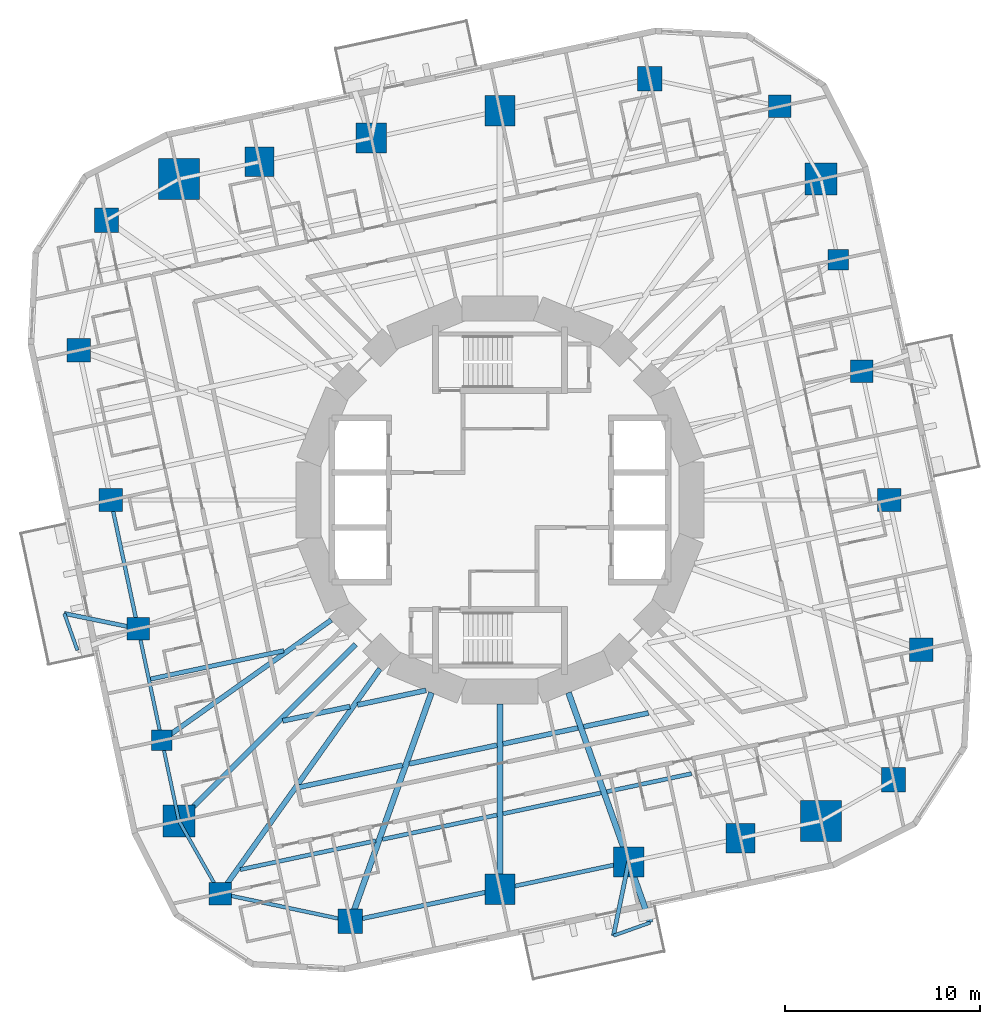
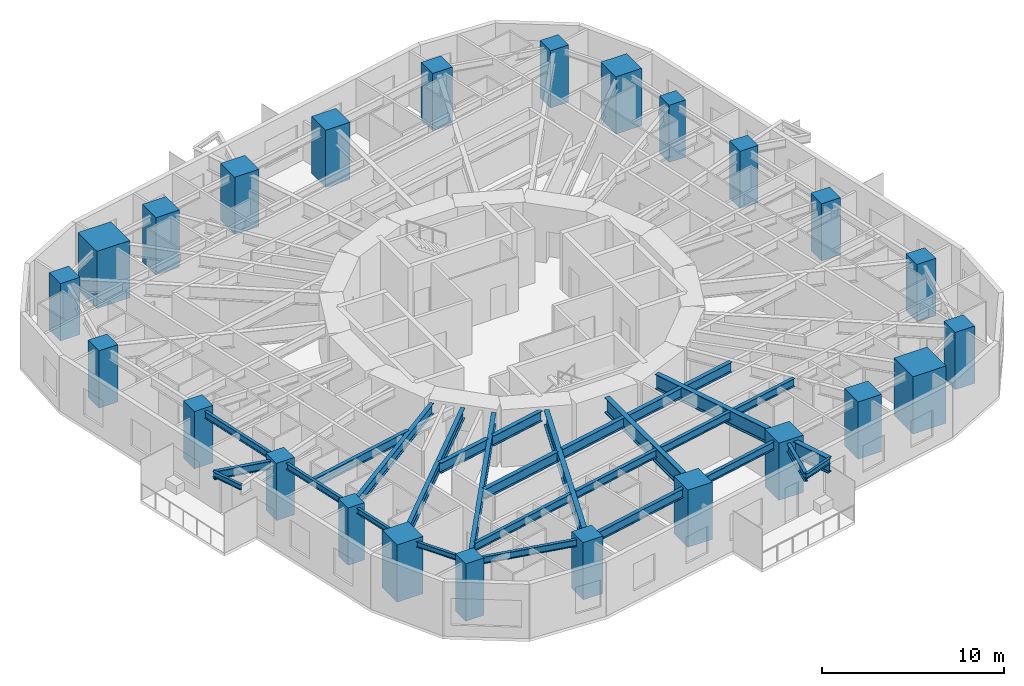
# One storey, part 1 of 14: 28 beams, 24 columns.
"""IFC4 building model written with IfcOpenShell, lengths in metres."""

from ifc_helpers import new_model, si_unit, direction, frame, origin, origin_2d, place, context, subcontext, project, spatial, rectangle, i_section, extrude, material, material_profile, profile_set, type_object, element, save


model = new_model("IFC4")

# Units and contexts
model_context = context("Model", 3, precision=1e-05, world=origin(), true_north=direction((0.0, 1.0)))
body_context = subcontext(model_context, "Body", "Model", "MODEL_VIEW")
ifc_project = project(units=[si_unit("LENGTHUNIT", "METRE"), si_unit("AREAUNIT", "SQUARE_METRE"), si_unit("VOLUMEUNIT", "CUBIC_METRE"), si_unit("PLANEANGLEUNIT", "RADIAN"), si_unit("MASSUNIT", "GRAM", prefix="KILO")], contexts=[model_context])

# Site, building, storey
site_placement = place(None, origin())
site = spatial("IfcSite", under=ifc_project, at=site_placement, CompositionType="ELEMENT")
building_placement = place(site_placement, origin())
building = spatial("IfcBuilding", under=site, at=building_placement, Name="Nakasero Lantern House", CompositionType="ELEMENT")
storey_placement = place(building_placement, frame((0.0, 0.0, 128.10009765625)))
storey = spatial("IfcBuildingStorey", under=building, at=storey_placement, Name="L31", CompositionType="ELEMENT", Elevation=128.10009765625)

# Columns
ifc_material_1 = material(Name="Concrete C50/60", Category="concrete")
ifc_material_profile_1 = material_profile(ifc_material_1, rectangle(XDim=1.64990234375, YDim=1.64990234375, at=origin_2d()), Name="RC 1650x1650")
ifc_profile_set_1 = profile_set([ifc_material_profile_1], Name="Concrete C50/60")
column_type_1 = type_object("IfcColumnType", Name="Mega column RC 1650x1650 C50/60", PredefinedType="COLUMN", material=ifc_profile_set_1)
for number, where, z_axis, x_axis, name in (
    (1, (16.44091796875, 16.44091796875, 0.0), (0.0, 0.0, 1.0), (1.0, 0.0, 0.0), "Column B3-C06 L31"),
    (2, (-16.44091796875, -16.44091796875, 0.0), (0.0, 0.0, 1.0), (1.0, 0.0, 0.0), "Column B3-C18 L31"),
):
    element("IfcColumn", number, at=place(storey_placement, frame(where, z_axis=z_axis, x_axis=x_axis)), inside=storey, type_object=column_type_1, Name=name, PredefinedType="COLUMN", context=body_context, shape_type="SweptSolid", body=[
        extrude(rectangle(XDim=1.64990234375, YDim=1.64990234375, at=origin_2d()), origin(), (0.0, 0.0, 1.0), 3.849853515625),
    ])
ifc_material_2 = material(Name="Concrete C50/60", Category="concrete")
ifc_material_profile_2 = material_profile(ifc_material_2, rectangle(XDim=2.10009765625, YDim=2.10009765625, at=origin_2d()), Name="RC 2100x2100")
ifc_profile_set_2 = profile_set([ifc_material_profile_2], Name="Concrete C50/60")
column_type_2 = type_object("IfcColumnType", Name="Mega column RC 2100x2100 C50/60", PredefinedType="COLUMN", material=ifc_profile_set_2)
for number, where, z_axis, x_axis, name in (
    (3, (-16.44091796875, 16.44091796875, 0.0), (0.0, 0.0, 1.0), (1.0, 0.0, 0.0), "Column B3-C12 L31"),
    (4, (16.44091796875, -16.44091796875, 0.0), (0.0, 0.0, 1.0), (1.0, 0.0, 0.0), "Column B3-C24 L31"),
):
    element("IfcColumn", number, at=place(storey_placement, frame(where, z_axis=z_axis, x_axis=x_axis)), inside=storey, type_object=column_type_2, Name=name, PredefinedType="COLUMN", context=body_context, shape_type="SweptSolid", body=[
        extrude(rectangle(XDim=2.10009765625, YDim=2.10009765625, at=origin_2d()), origin(), (0.0, 0.0, 1.0), 3.849853515625),
    ])
ifc_material_3 = material(Name="Concrete C50/60", Category="concrete")
ifc_material_profile_3 = material_profile(ifc_material_3, rectangle(XDim=1.050048828125, YDim=1.050048828125, at=origin_2d()), Name="RC 1050x1050")
ifc_profile_set_3 = profile_set([ifc_material_profile_3], Name="Concrete C50/60")
column_type_3 = type_object("IfcColumnType", Name="Ring column RC 1050x1050 C50/60", PredefinedType="COLUMN", material=ifc_profile_set_3)
for number, where, z_axis, x_axis, name in (
    (5, (17.318115234375, 12.31494140625, 0.0), (0.0, 0.0, 1.0), (1.0, 0.0, 0.0), "Column B3-C05 L31"),
    (6, (-17.318115234375, -12.31494140625, 0.0), (0.0, 0.0, 1.0), (1.0, 0.0, 0.0), "Column B3-C17 L31"),
):
    element("IfcColumn", number, at=place(storey_placement, frame(where, z_axis=z_axis, x_axis=x_axis)), inside=storey, type_object=column_type_3, Name=name, PredefinedType="COLUMN", context=body_context, shape_type="SweptSolid", body=[
        extrude(rectangle(XDim=1.050048828125, YDim=1.050048828125, at=origin_2d()), origin(), (0.0, 0.0, 1.0), 3.849853515625),
    ])
ifc_material_4 = material(Name="Concrete C50/60", Category="concrete")
ifc_material_profile_4 = material_profile(ifc_material_4, rectangle(XDim=1.14990234375, YDim=1.14990234375, at=origin_2d()), Name="RC 1150x1150")
ifc_profile_set_4 = profile_set([ifc_material_profile_4], Name="Concrete C50/60")
column_type_4 = type_object("IfcColumnType", Name="Ring column RC 1150x1150 C50/60", PredefinedType="COLUMN", material=ifc_profile_set_4)
for number, where, z_axis, x_axis, name in (
    (7, (18.534912109375, 6.590087890625, 0.0), (0.0, 0.0, 1.0), (1.0, 0.0, 0.0), "Column B3-C04 L31"),
    (8, (14.33349609375, 20.15625, 0.0), (0.0, 0.0, 1.0), (1.0, 0.0, 0.0), "Column B3-C07 L31"),
    (9, (-18.534912109375, -6.590087890625, 0.0), (0.0, 0.0, 1.0), (1.0, 0.0, 0.0), "Column B3-C16 L31"),
    (10, (-14.33349609375, -20.15625, 0.0), (0.0, 0.0, 1.0), (1.0, 0.0, 0.0), "Column B3-C19 L31"),
):
    element("IfcColumn", number, at=place(storey_placement, frame(where, z_axis=z_axis, x_axis=x_axis)), inside=storey, type_object=column_type_4, Name=name, PredefinedType="COLUMN", context=body_context, shape_type="SweptSolid", body=[
        extrude(rectangle(XDim=1.14990234375, YDim=1.14990234375, at=origin_2d()), origin(), (0.0, 0.0, 1.0), 3.849853515625),
    ])
ifc_material_5 = material(Name="Concrete C50/60", Category="concrete")
ifc_material_profile_5 = material_profile(ifc_material_5, rectangle(XDim=1.199951171875, YDim=1.199951171875, at=origin_2d()), Name="RC 1200x1200")
ifc_profile_set_5 = profile_set([ifc_material_profile_5], Name="Concrete C50/60")
column_type_5 = type_object("IfcColumnType", Name="Ring column RC 1200x1200 C50/60", PredefinedType="COLUMN", material=ifc_profile_set_5)
for number, where, z_axis, x_axis, name in (
    (11, (21.5654296875, -7.667724609375, 0.0), (0.0, 0.0, 1.0), (1.0, 0.0, 0.0), "Column B3-C02 L31"),
    (12, (19.935546875, 0.0, 0.0), (0.0, 0.0, 1.0), (1.0, 0.0, 0.0), "Column B3-C03 L31"),
    (13, (-21.5654296875, 7.667724609375, 0.0), (0.0, 0.0, 1.0), (1.0, 0.0, 0.0), "Column B3-C14 L31"),
    (14, (-19.935546875, 0.0, 0.0), (0.0, 0.0, 1.0), (1.0, 0.0, 0.0), "Column B3-C15 L31"),
):
    element("IfcColumn", number, at=place(storey_placement, frame(where, z_axis=z_axis, x_axis=x_axis)), inside=storey, type_object=column_type_5, Name=name, PredefinedType="COLUMN", context=body_context, shape_type="SweptSolid", body=[
        extrude(rectangle(XDim=1.199951171875, YDim=1.199951171875, at=origin_2d()), origin(), (0.0, 0.0, 1.0), 3.849853515625),
    ])
ifc_material_6 = material(Name="Concrete C50/60", Category="concrete")
ifc_material_profile_6 = material_profile(ifc_material_6, rectangle(XDim=1.25, YDim=1.25, at=origin_2d()), Name="RC 1250x1250")
ifc_profile_set_6 = profile_set([ifc_material_profile_6], Name="Concrete C50/60")
column_type_6 = type_object("IfcColumnType", Name="Ring column RC 1250x1250 C50/60", PredefinedType="COLUMN", material=ifc_profile_set_6)
for number, where, z_axis, x_axis, name in (
    (15, (20.15625, -14.33349609375, 0.0), (0.0, 0.0, 1.0), (1.0, 0.0, 0.0), "Column B3-C01 L31"),
    (16, (7.667724609375, 21.5654296875, 0.0), (0.0, 0.0, 1.0), (1.0, 0.0, 0.0), "Column B3-C08 L31"),
    (17, (-20.15625, 14.33349609375, 0.0), (0.0, 0.0, 1.0), (1.0, 0.0, 0.0), "Column B3-C13 L31"),
    (18, (-7.667724609375, -21.5654296875, 0.0), (0.0, 0.0, 1.0), (1.0, 0.0, 0.0), "Column B3-C20 L31"),
):
    element("IfcColumn", number, at=place(storey_placement, frame(where, z_axis=z_axis, x_axis=x_axis)), inside=storey, type_object=column_type_6, Name=name, PredefinedType="COLUMN", context=body_context, shape_type="SweptSolid", body=[
        extrude(rectangle(XDim=1.25, YDim=1.25, at=origin_2d()), origin(), (0.0, 0.0, 1.0), 3.849853515625),
    ])
ifc_material_7 = material(Name="Concrete C50/60", Category="concrete")
ifc_material_profile_7 = material_profile(ifc_material_7, rectangle(XDim=1.5, YDim=1.5, at=origin_2d()), Name="RC 1500x1500")
ifc_profile_set_7 = profile_set([ifc_material_profile_7], Name="Concrete C50/60")
column_type_7 = type_object("IfcColumnType", Name="Ring column RC 1500x1500 C50/60", PredefinedType="COLUMN", material=ifc_profile_set_7)
for number, where, z_axis, x_axis, name in (
    (19, (-12.31494140625, 17.318115234375, 0.0), (0.0, 0.0, 1.0), (1.0, 0.0, 0.0), "Column B3-C11 L31"),
    (20, (12.31494140625, -17.318115234375, 0.0), (0.0, 0.0, 1.0), (1.0, 0.0, 0.0), "Column B3-C23 L31"),
):
    element("IfcColumn", number, at=place(storey_placement, frame(where, z_axis=z_axis, x_axis=x_axis)), inside=storey, type_object=column_type_7, Name=name, PredefinedType="COLUMN", context=body_context, shape_type="SweptSolid", body=[
        extrude(rectangle(XDim=1.5, YDim=1.5, at=origin_2d()), origin(), (0.0, 0.0, 1.0), 3.849853515625),
    ])
ifc_material_8 = material(Name="Concrete C50/60", Category="concrete")
ifc_material_profile_8 = material_profile(ifc_material_8, rectangle(XDim=1.550048828125, YDim=1.550048828125, at=origin_2d()), Name="RC 1550x1550")
ifc_profile_set_8 = profile_set([ifc_material_profile_8], Name="Concrete C50/60")
column_type_8 = type_object("IfcColumnType", Name="Ring column RC 1550x1550 C50/60", PredefinedType="COLUMN", material=ifc_profile_set_8)
for number, where, z_axis, x_axis, name in (
    (21, (0.0, 19.935546875, 0.0), (0.0, 0.0, 1.0), (1.0, 0.0, 0.0), "Column B3-C09 L31"),
    (22, (-6.590087890625, 18.534912109375, 0.0), (0.0, 0.0, 1.0), (1.0, 0.0, 0.0), "Column B3-C10 L31"),
    (23, (0.0, -19.935546875, 0.0), (0.0, 0.0, 1.0), (1.0, 0.0, 0.0), "Column B3-C21 L31"),
    (24, (6.590087890625, -18.534912109375, 0.0), (0.0, 0.0, 1.0), (1.0, 0.0, 0.0), "Column B3-C22 L31"),
):
    element("IfcColumn", number, at=place(storey_placement, frame(where, z_axis=z_axis, x_axis=x_axis)), inside=storey, type_object=column_type_8, Name=name, PredefinedType="COLUMN", context=body_context, shape_type="SweptSolid", body=[
        extrude(rectangle(XDim=1.550048828125, YDim=1.550048828125, at=origin_2d()), origin(), (0.0, 0.0, 1.0), 3.849853515625),
    ])

# Beams
ifc_material_9 = material(Name="Steel S355", Category="steel")
ifc_material_profile_9 = material_profile(ifc_material_9, i_section(OverallWidth=0.2138671875, OverallDepth=0.549072265625, WebThickness=0.0146484375, FlangeThickness=0.023681640625, FilletRadius=0.0126953125, at=origin_2d()), Name="UB 533x210x138")
ifc_profile_set_9 = profile_set([ifc_material_profile_9], Name="Steel S355")
beam_type_1 = type_object("IfcBeamType", Name="Balcony splay beam UB 533x210x138", PredefinedType="BEAM", material=ifc_profile_set_9)
for number, where, z_axis, x_axis, name in (
    (25, (-18.534912109375, -6.590087890625, 3.375244140625), (-0.979420272605, 0.201831438605, 0.0), (-0.201831438605, -0.979420272605, 0.0), "Balcony splay beam L32 B3-C16A"),
    (26, (6.590087890625, -18.534912109375, 3.375244140625), (-0.201831438605, -0.979420272605, 0.0), (0.979420272605, -0.201831438605, 0.0), "Balcony splay beam L32 B3-C22A"),
):
    element("IfcBeam", number, at=place(storey_placement, frame(where, z_axis=z_axis, x_axis=x_axis)), inside=storey, type_object=beam_type_1, Name=name, PredefinedType="BEAM", context=body_context, shape_type="SweptSolid", body=[
        extrude(i_section(OverallWidth=0.2138671875, OverallDepth=0.549072265625, WebThickness=0.0146484375, FlangeThickness=0.023681640625, FilletRadius=0.0126953125, at=origin_2d()), origin(), (0.0, 0.0, 1.0), 3.858642578125),
    ])
ifc_material_10 = material(Name="Steel S355", Category="steel")
ifc_material_profile_10 = material_profile(ifc_material_10, i_section(OverallWidth=0.17138671875, OverallDepth=0.35498046875, WebThickness=0.00732421875, FlangeThickness=0.011474609375, FilletRadius=0.01025390625, at=origin_2d()), Name="UB 356x171x51")
ifc_profile_set_10 = profile_set([ifc_material_profile_10], Name="Steel S355")
beam_type_2 = type_object("IfcBeamType", Name="Balcony tie beam UB 356x171x51", PredefinedType="BEAM", material=ifc_profile_set_10)
for number, where, z_axis, x_axis, name in (
    (27, (-22.314208984375, -5.811279296875, 3.472412109375), (0.335060236487, -0.942196708721, 0.0), (0.942196708721, 0.335060236487, 0.0), "Balcony tie beam L32 B3-C16"),
    (28, (5.811279296875, -22.314208984375, 3.472412109375), (0.942196708721, 0.335060236487, 0.0), (-0.335060236487, 0.942196708721, 0.0), "Balcony tie beam L32 B3-C22"),
):
    element("IfcBeam", number, at=place(storey_placement, frame(where, z_axis=z_axis, x_axis=x_axis)), inside=storey, type_object=beam_type_2, Name=name, PredefinedType="BEAM", context=body_context, shape_type="SweptSolid", body=[
        extrude(i_section(OverallWidth=0.17138671875, OverallDepth=0.35498046875, WebThickness=0.00732421875, FlangeThickness=0.011474609375, FilletRadius=0.01025390625, at=origin_2d()), origin(), (0.0, 0.0, 1.0), 2.000244140625),
    ])
ifc_material_11 = material(Name="Steel S355", Category="steel")
ifc_material_profile_11 = material_profile(ifc_material_11, i_section(OverallWidth=0.2099609375, OverallDepth=0.53662109375, WebThickness=0.0107421875, FlangeThickness=0.017333984375, FilletRadius=0.0126953125, at=origin_2d()), Name="UB 533x210x101")
ifc_profile_set_11 = profile_set([ifc_material_profile_11], Name="Steel S355")
beam_type_3 = type_object("IfcBeamType", Name="Infill beam UB 533x210x101", PredefinedType="JOIST", material=ifc_profile_set_11)
beam_1_placement = place(storey_placement, frame((-13.29638671875, -18.927978515625, 3.381591796875), z_axis=(0.978149480204, 0.207902848411, 0.0), x_axis=(-0.207902848411, 0.978149480204, 0.0)))
element("IfcBeam", 29, at=beam_1_placement, inside=storey, type_object=beam_type_3, Name="Infill beam L32 03.1", PredefinedType="JOIST", context=body_context, shape_type="SweptSolid", body=[
    extrude(i_section(OverallWidth=0.2099609375, OverallDepth=0.53662109375, WebThickness=0.0107421875, FlangeThickness=0.017333984375, FilletRadius=0.0126953125, at=origin_2d()), origin(), (0.0, 0.0, 1.0), 7.085693359375),
])
beam_2_placement = place(storey_placement, frame((-6.02099609375, -17.381591796875, 3.381591796875), z_axis=(0.978149438519, 0.207903044531, 0.0), x_axis=(-0.207903044531, 0.978149438519, 0.0)))
element("IfcBeam", 30, at=beam_2_placement, inside=storey, type_object=beam_type_3, Name="Infill beam L32 03.2", PredefinedType="JOIST", context=body_context, shape_type="SweptSolid", body=[
    extrude(i_section(OverallWidth=0.2099609375, OverallDepth=0.53662109375, WebThickness=0.0107421875, FlangeThickness=0.017333984375, FilletRadius=0.0126953125, at=origin_2d()), origin(), (0.0, 0.0, 1.0), 5.99951171875),
])
beam_3_placement = place(storey_placement, frame((0.152587890625, -16.0693359375, 3.381591796875), z_axis=(0.978153894908, 0.207882076853, 0.0), x_axis=(-0.207882076853, 0.978153894908, 0.0)))
element("IfcBeam", 31, at=beam_3_placement, inside=storey, type_object=beam_type_3, Name="Infill beam L32 03.3", PredefinedType="JOIST", context=body_context, shape_type="SweptSolid", body=[
    extrude(i_section(OverallWidth=0.2099609375, OverallDepth=0.53662109375, WebThickness=0.0107421875, FlangeThickness=0.017333984375, FilletRadius=0.0126953125, at=origin_2d()), origin(), (0.0, 0.0, 1.0), 5.13330078125),
])
beam_4_placement = place(storey_placement, frame((5.471923828125, -14.938720703125, 3.381591796875), z_axis=(0.978149057111, 0.207904838982, 0.0), x_axis=(-0.207904838982, 0.978149057111, 0.0)))
element("IfcBeam", 32, at=beam_4_placement, inside=storey, type_object=beam_type_3, Name="Infill beam L32 03.4", PredefinedType="JOIST", context=body_context, shape_type="SweptSolid", body=[
    extrude(i_section(OverallWidth=0.2099609375, OverallDepth=0.53662109375, WebThickness=0.0107421875, FlangeThickness=0.017333984375, FilletRadius=0.0126953125, at=origin_2d()), origin(), (0.0, 0.0, 1.0), 4.435302734375),
])
ifc_material_12 = material(Name="Steel S355", Category="steel")
ifc_material_profile_12 = material_profile(ifc_material_12, i_section(OverallWidth=0.2275390625, OverallDepth=0.6025390625, WebThickness=0.010498046875, FlangeThickness=0.014892578125, FilletRadius=0.0126953125, at=origin_2d()), Name="UB 610x229x101")
ifc_profile_set_12 = profile_set([ifc_material_profile_12], Name="Steel S355")
beam_type_4 = type_object("IfcBeamType", Name="Infill beam UB 610x229x101", PredefinedType="JOIST", material=ifc_profile_set_12)
beam_5_placement = place(storey_placement, frame((-17.895263671875, -9.171142578125, 3.3486328125), z_axis=(0.978143535939, 0.207930813255, 0.0), x_axis=(-0.207930813255, 0.978143535939, 0.0)))
element("IfcBeam", 33, at=beam_5_placement, inside=storey, type_object=beam_type_4, Name="Infill beam L32 06.1", PredefinedType="JOIST", context=body_context, shape_type="SweptSolid", body=[
    extrude(i_section(OverallWidth=0.2275390625, OverallDepth=0.6025390625, WebThickness=0.010498046875, FlangeThickness=0.014892578125, FilletRadius=0.0126953125, at=origin_2d()), origin(), (0.0, 0.0, 1.0), 6.9697265625),
])
ifc_material_13 = material(Name="Steel S355", Category="steel")
ifc_material_profile_13 = material_profile(ifc_material_13, i_section(OverallWidth=0.253662109375, OverallDepth=0.68359375, WebThickness=0.012451171875, FlangeThickness=0.01904296875, FilletRadius=0.01513671875, at=origin_2d()), Name="UB 686x254x140")
ifc_profile_set_13 = profile_set([ifc_material_profile_13], Name="Steel S355")
beam_type_5 = type_object("IfcBeamType", Name="Infill beam UB 686x254x140", PredefinedType="JOIST", material=ifc_profile_set_13)
beam_6_placement = place(storey_placement, frame((-10.298828125, -14.712646484375, 3.30810546875), z_axis=(0.978155764637, 0.207873278962, 0.0), x_axis=(-0.207873278962, 0.978155764637, 0.0)))
element("IfcBeam", 34, at=beam_6_placement, inside=storey, type_object=beam_type_5, Name="Infill beam L32 04.1", PredefinedType="JOIST", context=body_context, shape_type="SweptSolid", body=[
    extrude(i_section(OverallWidth=0.253662109375, OverallDepth=0.68359375, WebThickness=0.012451171875, FlangeThickness=0.01904296875, FilletRadius=0.01513671875, at=origin_2d()), origin(), (0.0, 0.0, 1.0), 5.428466796875),
])
beam_7_placement = place(storey_placement, frame((-4.644775390625, -13.510986328125, 3.30810546875), z_axis=(0.978148041119, 0.207909618957, 0.0), x_axis=(-0.207909618957, 0.978148041119, 0.0)))
element("IfcBeam", 35, at=beam_7_placement, inside=storey, type_object=beam_type_5, Name="Infill beam L32 04.2", PredefinedType="JOIST", context=body_context, shape_type="SweptSolid", body=[
    extrude(i_section(OverallWidth=0.253662109375, OverallDepth=0.68359375, WebThickness=0.012451171875, FlangeThickness=0.01904296875, FilletRadius=0.01513671875, at=origin_2d()), origin(), (0.0, 0.0, 1.0), 4.592529296875),
])
beam_8_placement = place(storey_placement, frame((0.152587890625, -12.4912109375, 3.30810546875), z_axis=(0.978145250615, 0.20792274695, 0.0), x_axis=(-0.20792274695, 0.978145250615, 0.0)))
element("IfcBeam", 36, at=beam_8_placement, inside=storey, type_object=beam_type_5, Name="Infill beam L32 04.3", PredefinedType="JOIST", context=body_context, shape_type="SweptSolid", body=[
    extrude(i_section(OverallWidth=0.253662109375, OverallDepth=0.68359375, WebThickness=0.012451171875, FlangeThickness=0.01904296875, FilletRadius=0.01513671875, at=origin_2d()), origin(), (0.0, 0.0, 1.0), 3.924072265625),
])
beam_9_placement = place(storey_placement, frame((4.2890625, -11.612060546875, 3.30810546875), z_axis=(0.978143084163, 0.207932938478, 0.0), x_axis=(-0.207932938478, 0.978143084163, 0.0)))
element("IfcBeam", 37, at=beam_9_placement, inside=storey, type_object=beam_type_5, Name="Infill beam L32 04.4", PredefinedType="JOIST", context=body_context, shape_type="SweptSolid", body=[
    extrude(i_section(OverallWidth=0.253662109375, OverallDepth=0.68359375, WebThickness=0.012451171875, FlangeThickness=0.01904296875, FilletRadius=0.01513671875, at=origin_2d()), origin(), (0.0, 0.0, 1.0), 3.385009765625),
])
ifc_material_14 = material(Name="Steel S355", Category="steel")
ifc_material_profile_14 = material_profile(ifc_material_14, i_section(OverallWidth=0.255859375, OverallDepth=0.69287109375, WebThickness=0.014404296875, FlangeThickness=0.023681640625, FilletRadius=0.01513671875, at=origin_2d()), Name="UB 686x254x170")
ifc_profile_set_14 = profile_set([ifc_material_profile_14], Name="Steel S355")
beam_type_6 = type_object("IfcBeamType", Name="Infill beam UB 686x254x170", PredefinedType="JOIST", material=ifc_profile_set_14)
beam_10_placement = place(storey_placement, frame((-11.13037109375, -11.311279296875, 3.303466796875), z_axis=(0.978149156314, 0.207904372253, 0.0), x_axis=(-0.207904372253, 0.978149156314, 0.0)))
element("IfcBeam", 38, at=beam_10_placement, inside=storey, type_object=beam_type_6, Name="Infill beam L32 05.1", PredefinedType="JOIST", context=body_context, shape_type="SweptSolid", body=[
    extrude(i_section(OverallWidth=0.255859375, OverallDepth=0.69287109375, WebThickness=0.014404296875, FlangeThickness=0.023681640625, FilletRadius=0.01513671875, at=origin_2d()), origin(), (0.0, 0.0, 1.0), 3.5205078125),
])
beam_11_placement = place(storey_placement, frame((-7.30126953125, -10.497314453125, 3.303466796875), z_axis=(0.978149176892, 0.207904275439, 0.0), x_axis=(-0.207904275439, 0.978149176892, 0.0)))
element("IfcBeam", 39, at=beam_11_placement, inside=storey, type_object=beam_type_6, Name="Infill beam L32 05.2", PredefinedType="JOIST", context=body_context, shape_type="SweptSolid", body=[
    extrude(i_section(OverallWidth=0.255859375, OverallDepth=0.69287109375, WebThickness=0.014404296875, FlangeThickness=0.023681640625, FilletRadius=0.01513671875, at=origin_2d()), origin(), (0.0, 0.0, 1.0), 3.59228515625),
])
ifc_material_15 = material(Name="Steel S355", Category="steel")
ifc_material_profile_15 = material_profile(ifc_material_15, i_section(OverallWidth=0.300048828125, OverallDepth=0.989990234375, WebThickness=0.0166015625, FlangeThickness=0.031005859375, FilletRadius=0.030029296875, at=origin_2d()), Name="UB 1016x305x272")
ifc_profile_set_15 = profile_set([ifc_material_profile_15], Name="Steel S355")
beam_type_7 = type_object("IfcBeamType", Name="Primary beam UB 1016x305x272, span 12 to 15 m", PredefinedType="BEAM", material=ifc_profile_set_15)
beam_12_placement = place(storey_placement, frame((-7.667724609375, -21.5654296875, 3.15478515625), z_axis=(0.335011995103, 0.942213862739, 0.0), x_axis=(-0.942213862739, 0.335011995103, 0.0)))
element("IfcBeam", 40, at=beam_12_placement, inside=storey, type_object=beam_type_7, Name="Primary beam L32 B3-C20", PredefinedType="BEAM", context=body_context, shape_type="SweptSolid", body=[
    extrude(i_section(OverallWidth=0.300048828125, OverallDepth=0.989990234375, WebThickness=0.0166015625, FlangeThickness=0.031005859375, FilletRadius=0.030029296875, at=origin_2d()), origin(), (0.0, 0.0, 1.0), 12.41650390625),
])
ifc_material_16 = material(Name="Steel S355", Category="steel")
ifc_material_profile_16 = material_profile(ifc_material_16, i_section(OverallWidth=0.302001953125, OverallDepth=1.008056640625, WebThickness=0.02099609375, FlangeThickness=0.0400390625, FilletRadius=0.030029296875, at=origin_2d()), Name="UB 1016x305x349")
ifc_profile_set_16 = profile_set([ifc_material_profile_16], Name="Steel S355")
beam_type_8 = type_object("IfcBeamType", Name="Primary beam UB 1016x305x349, span 9 to 12 m", PredefinedType="BEAM", material=ifc_profile_set_16)
beam_13_placement = place(storey_placement, frame((7.69580078125, -21.64404296875, 3.145751953125), z_axis=(-0.335020841845, 0.942210717159, 0.0), x_axis=(-0.942210717159, -0.335020841845, 0.0)))
element("IfcBeam", 41, at=beam_13_placement, inside=storey, type_object=beam_type_8, Name="Primary beam L32 B3-C22", PredefinedType="BEAM", context=body_context, shape_type="SweptSolid", body=[
    extrude(i_section(OverallWidth=0.302001953125, OverallDepth=1.008056640625, WebThickness=0.02099609375, FlangeThickness=0.0400390625, FilletRadius=0.030029296875, at=origin_2d()), origin(), (0.0, 0.0, 1.0), 12.5),
])
ifc_material_17 = material(Name="Steel S355", Category="steel")
ifc_material_profile_17 = material_profile(ifc_material_17, i_section(OverallWidth=0.305419921875, OverallDepth=1.026123046875, WebThickness=0.02685546875, FlangeThickness=0.049072265625, FilletRadius=0.030029296875, at=origin_2d()), Name="UB 1016x305x437")
ifc_profile_set_17 = profile_set([ifc_material_profile_17], Name="Steel S355")
beam_type_9 = type_object("IfcBeamType", Name="Primary beam UB 1016x305x437, span 9 to 12 m", PredefinedType="BEAM", material=ifc_profile_set_17)
beam_14_placement = place(storey_placement, frame((0.0, -19.935546875, 3.136962890625), z_axis=(0.0, 1.0, 0.0), x_axis=(-1.0, 0.0, 0.0)))
element("IfcBeam", 42, at=beam_14_placement, inside=storey, type_object=beam_type_9, Name="Primary beam L32 B3-C21", PredefinedType="BEAM", context=body_context, shape_type="SweptSolid", body=[
    extrude(i_section(OverallWidth=0.305419921875, OverallDepth=1.026123046875, WebThickness=0.02685546875, FlangeThickness=0.049072265625, FilletRadius=0.030029296875, at=origin_2d()), origin(), (0.0, 0.0, 1.0), 9.477783203125),
])
ifc_material_18 = material(Name="Steel S355", Category="steel")
ifc_material_profile_18 = material_profile(ifc_material_18, i_section(OverallWidth=0.253662109375, OverallDepth=0.68359375, WebThickness=0.012451171875, FlangeThickness=0.01904296875, FilletRadius=0.01513671875, at=origin_2d()), Name="UB 686x254x140")
ifc_profile_set_18 = profile_set([ifc_material_profile_18], Name="Steel S355")
beam_type_10 = type_object("IfcBeamType", Name="Primary beam UB 686x254x140, span 9 to 12 m", PredefinedType="BEAM", material=ifc_profile_set_18)
beam_15_placement = place(storey_placement, frame((-17.318115234375, -12.31494140625, 3.30810546875), z_axis=(0.814957491022, 0.579520739774, 0.0), x_axis=(-0.579520739774, 0.814957491022, 0.0)))
element("IfcBeam", 43, at=beam_15_placement, inside=storey, type_object=beam_type_10, Name="Primary beam L32 B3-C17", PredefinedType="BEAM", context=body_context, shape_type="SweptSolid", body=[
    extrude(i_section(OverallWidth=0.253662109375, OverallDepth=0.68359375, WebThickness=0.012451171875, FlangeThickness=0.01904296875, FilletRadius=0.01513671875, at=origin_2d()), origin(), (0.0, 0.0, 1.0), 10.64453125),
])
ifc_material_19 = material(Name="Steel S355", Category="steel")
ifc_material_profile_19 = material_profile(ifc_material_19, i_section(OverallWidth=0.255859375, OverallDepth=0.69287109375, WebThickness=0.014404296875, FlangeThickness=0.023681640625, FilletRadius=0.01513671875, at=origin_2d()), Name="UB 686x254x170")
ifc_profile_set_19 = profile_set([ifc_material_profile_19], Name="Steel S355")
beam_type_11 = type_object("IfcBeamType", Name="Primary beam UB 686x254x170, span 12 to 15 m", PredefinedType="BEAM", material=ifc_profile_set_19)
beam_16_placement = place(storey_placement, frame((-16.44091796875, -16.44091796875, 3.303466796875), z_axis=(0.707106781187, 0.707106781187, 0.0), x_axis=(-0.707106781187, 0.707106781187, 0.0)))
element("IfcBeam", 44, at=beam_16_placement, inside=storey, type_object=beam_type_11, Name="Primary beam L32 B3-C18", PredefinedType="BEAM", context=body_context, shape_type="SweptSolid", body=[
    extrude(i_section(OverallWidth=0.255859375, OverallDepth=0.69287109375, WebThickness=0.014404296875, FlangeThickness=0.023681640625, FilletRadius=0.01513671875, at=origin_2d()), origin(), (0.0, 0.0, 1.0), 12.793212890625),
])
ifc_material_20 = material(Name="Steel S355", Category="steel")
ifc_material_profile_20 = material_profile(ifc_material_20, i_section(OverallWidth=0.2666015625, OverallDepth=0.76220703125, WebThickness=0.014404296875, FlangeThickness=0.021484375, FilletRadius=0.0166015625, at=origin_2d()), Name="UB 762x267x173")
ifc_profile_set_20 = profile_set([ifc_material_profile_20], Name="Steel S355")
beam_type_12 = type_object("IfcBeamType", Name="Primary beam UB 762x267x173, span 12 to 15 m", PredefinedType="BEAM", material=ifc_profile_set_20)
beam_17_placement = place(storey_placement, frame((-14.33349609375, -20.15625, 3.268798828125), z_axis=(0.57953679421, 0.814946074386, 0.0), x_axis=(-0.814946074386, 0.57953679421, 0.0)))
element("IfcBeam", 45, at=beam_17_placement, inside=storey, type_object=beam_type_12, Name="Primary beam L32 B3-C19", PredefinedType="BEAM", context=body_context, shape_type="SweptSolid", body=[
    extrude(i_section(OverallWidth=0.2666015625, OverallDepth=0.76220703125, WebThickness=0.014404296875, FlangeThickness=0.021484375, FilletRadius=0.0166015625, at=origin_2d()), origin(), (0.0, 0.0, 1.0), 14.127197265625),
])
ifc_material_21 = material(Name="Steel S355", Category="steel")
ifc_material_profile_21 = material_profile(ifc_material_21, i_section(OverallWidth=0.17138671875, OverallDepth=0.35498046875, WebThickness=0.00732421875, FlangeThickness=0.011474609375, FilletRadius=0.01025390625, at=origin_2d()), Name="UB 356x171x51")
ifc_profile_set_21 = profile_set([ifc_material_profile_21], Name="Steel S355")
beam_type_13 = type_object("IfcBeamType", Name="Ring beam UB 356x171x51", PredefinedType="BEAM", material=ifc_profile_set_21)
beam_18_placement = place(storey_placement, frame((-17.318115234375, -12.31494140625, 3.472412109375), z_axis=(0.207955665195, -0.978138252658, 0.0), x_axis=(0.978138252658, 0.207955665195, 0.0)))
element("IfcBeam", 46, at=beam_18_placement, inside=storey, type_object=beam_type_13, Name="Ring beam L32 B3-C17", PredefinedType="BEAM", context=body_context, shape_type="SweptSolid", body=[
    extrude(i_section(OverallWidth=0.17138671875, OverallDepth=0.35498046875, WebThickness=0.00732421875, FlangeThickness=0.011474609375, FilletRadius=0.01025390625, at=origin_2d()), origin(), (0.0, 0.0, 1.0), 4.21826171875),
])
beam_19_placement = place(storey_placement, frame((-16.44091796875, -16.44091796875, 3.472412109375), z_axis=(0.493378832737, -0.869814536213, 0.0), x_axis=(0.869814536213, 0.493378832737, 0.0)))
element("IfcBeam", 47, at=beam_19_placement, inside=storey, type_object=beam_type_13, Name="Ring beam L32 B3-C18", PredefinedType="BEAM", context=body_context, shape_type="SweptSolid", body=[
    extrude(i_section(OverallWidth=0.17138671875, OverallDepth=0.35498046875, WebThickness=0.00732421875, FlangeThickness=0.011474609375, FilletRadius=0.01025390625, at=origin_2d()), origin(), (0.0, 0.0, 1.0), 4.271484375),
])
ifc_material_22 = material(Name="Steel S355", Category="steel")
ifc_material_profile_22 = material_profile(ifc_material_22, i_section(OverallWidth=0.177978515625, OverallDepth=0.406494140625, WebThickness=0.0078125, FlangeThickness=0.0126953125, FilletRadius=0.01025390625, at=origin_2d()), Name="UB 406x178x60")
ifc_profile_set_22 = profile_set([ifc_material_profile_22], Name="Steel S355")
beam_type_14 = type_object("IfcBeamType", Name="Ring beam UB 406x178x60", PredefinedType="BEAM", material=ifc_profile_set_22)
beam_20_placement = place(storey_placement, frame((-18.534912109375, -6.590087890625, 3.44677734375), z_axis=(0.207902159541, -0.978149626621, 0.0), x_axis=(0.978149626621, 0.207902159541, 0.0)))
element("IfcBeam", 48, at=beam_20_placement, inside=storey, type_object=beam_type_14, Name="Ring beam L32 B3-C16", PredefinedType="BEAM", context=body_context, shape_type="SweptSolid", body=[
    extrude(i_section(OverallWidth=0.177978515625, OverallDepth=0.406494140625, WebThickness=0.0078125, FlangeThickness=0.0126953125, FilletRadius=0.01025390625, at=origin_2d()), origin(), (0.0, 0.0, 1.0), 5.852783203125),
])
ifc_material_23 = material(Name="Steel S355", Category="steel")
ifc_material_profile_23 = material_profile(ifc_material_23, i_section(OverallWidth=0.19140625, OverallDepth=0.4599609375, WebThickness=0.010009765625, FlangeThickness=0.01611328125, FilletRadius=0.01025390625, at=origin_2d()), Name="UB 457x191x82")
ifc_profile_set_23 = profile_set([ifc_material_profile_23], Name="Steel S355")
beam_type_15 = type_object("IfcBeamType", Name="Ring beam UB 457x191x82", PredefinedType="BEAM", material=ifc_profile_set_23)
beam_21_placement = place(storey_placement, frame((-19.935546875, 0.0, 3.419921875), z_axis=(0.20789299389, -0.978151574702, 0.0), x_axis=(0.978151574702, 0.20789299389, 0.0)))
element("IfcBeam", 49, at=beam_21_placement, inside=storey, type_object=beam_type_15, Name="Ring beam L32 B3-C15", PredefinedType="BEAM", context=body_context, shape_type="SweptSolid", body=[
    extrude(i_section(OverallWidth=0.19140625, OverallDepth=0.4599609375, WebThickness=0.010009765625, FlangeThickness=0.01611328125, FilletRadius=0.01025390625, at=origin_2d()), origin(), (0.0, 0.0, 1.0), 6.7373046875),
])
beam_22_placement = place(storey_placement, frame((-14.33349609375, -20.15625, 3.419921875), z_axis=(0.978376066473, -0.206833925052, 0.0), x_axis=(0.206833925052, 0.978376066473, 0.0)))
element("IfcBeam", 50, at=beam_22_placement, inside=storey, type_object=beam_type_15, Name="Ring beam L32 B3-C19", PredefinedType="BEAM", context=body_context, shape_type="SweptSolid", body=[
    extrude(i_section(OverallWidth=0.19140625, OverallDepth=0.4599609375, WebThickness=0.010009765625, FlangeThickness=0.01611328125, FilletRadius=0.01025390625, at=origin_2d()), origin(), (0.0, 0.0, 1.0), 6.81298828125),
])
ifc_material_24 = material(Name="Steel S355", Category="steel")
ifc_material_profile_24 = material_profile(ifc_material_24, i_section(OverallWidth=0.2099609375, OverallDepth=0.53662109375, WebThickness=0.0107421875, FlangeThickness=0.017333984375, FilletRadius=0.0126953125, at=origin_2d()), Name="UB 533x210x101")
ifc_profile_set_24 = profile_set([ifc_material_profile_24], Name="Steel S355")
beam_type_16 = type_object("IfcBeamType", Name="Ring beam UB 533x210x101", PredefinedType="BEAM", material=ifc_profile_set_24)
beam_23_placement = place(storey_placement, frame((0.0, -19.935546875, 3.381591796875), z_axis=(0.978151574702, 0.20789299389, 0.0), x_axis=(-0.20789299389, 0.978151574702, 0.0)))
element("IfcBeam", 51, at=beam_23_placement, inside=storey, type_object=beam_type_16, Name="Ring beam L32 B3-C21", PredefinedType="BEAM", context=body_context, shape_type="SweptSolid", body=[
    extrude(i_section(OverallWidth=0.2099609375, OverallDepth=0.53662109375, WebThickness=0.0107421875, FlangeThickness=0.017333984375, FilletRadius=0.0126953125, at=origin_2d()), origin(), (0.0, 0.0, 1.0), 6.7373046875),
])
ifc_material_25 = material(Name="Steel S355", Category="steel")
ifc_material_profile_25 = material_profile(ifc_material_25, i_section(OverallWidth=0.22900390625, OverallDepth=0.6123046875, WebThickness=0.011962890625, FlangeThickness=0.01953125, FilletRadius=0.0126953125, at=origin_2d()), Name="UB 610x229x125")
ifc_profile_set_25 = profile_set([ifc_material_profile_25], Name="Steel S355")
beam_type_17 = type_object("IfcBeamType", Name="Ring beam UB 610x229x125", PredefinedType="BEAM", material=ifc_profile_set_25)
beam_24_placement = place(storey_placement, frame((-7.667724609375, -21.5654296875, 3.34375), z_axis=(0.978146105516, 0.207918725139, 0.0), x_axis=(-0.207918725139, 0.978146105516, 0.0)))
element("IfcBeam", 52, at=beam_24_placement, inside=storey, type_object=beam_type_17, Name="Ring beam L32 B3-C20", PredefinedType="BEAM", context=body_context, shape_type="SweptSolid", body=[
    extrude(i_section(OverallWidth=0.22900390625, OverallDepth=0.6123046875, WebThickness=0.011962890625, FlangeThickness=0.01953125, FilletRadius=0.0126953125, at=origin_2d()), origin(), (0.0, 0.0, 1.0), 7.839111328125),
])

save(model, "model.ifc")
